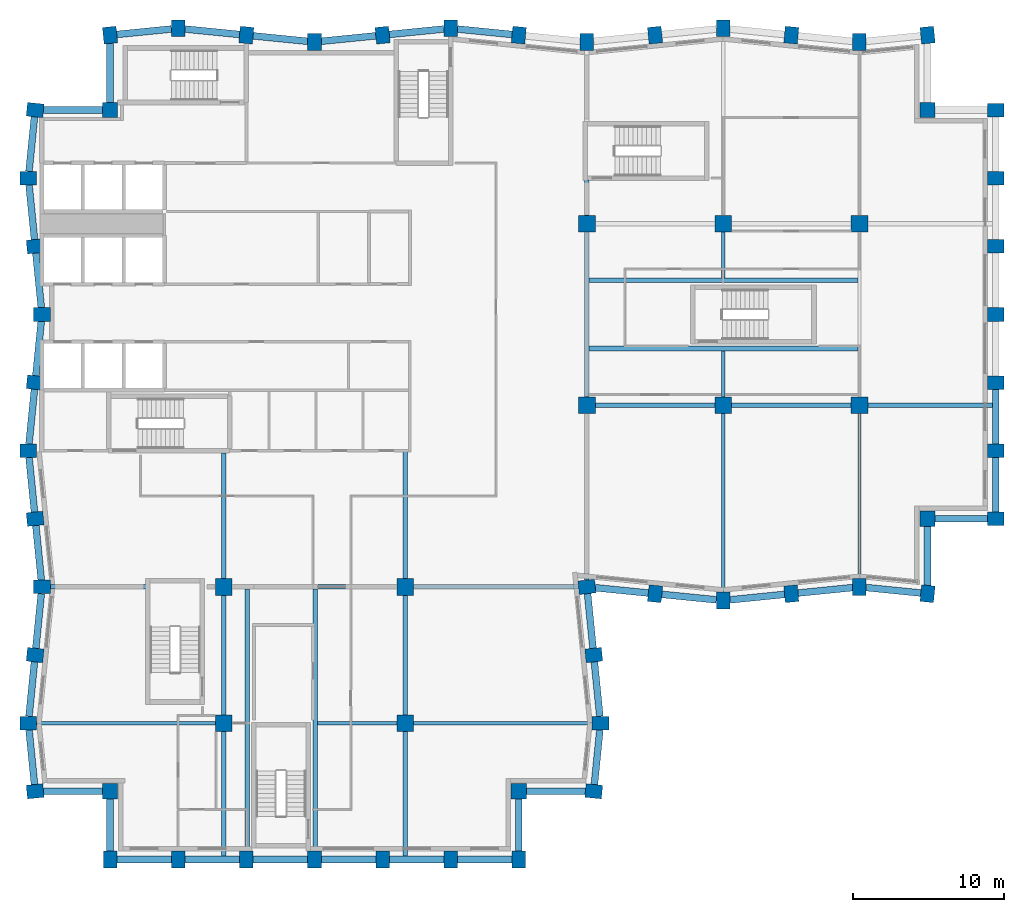
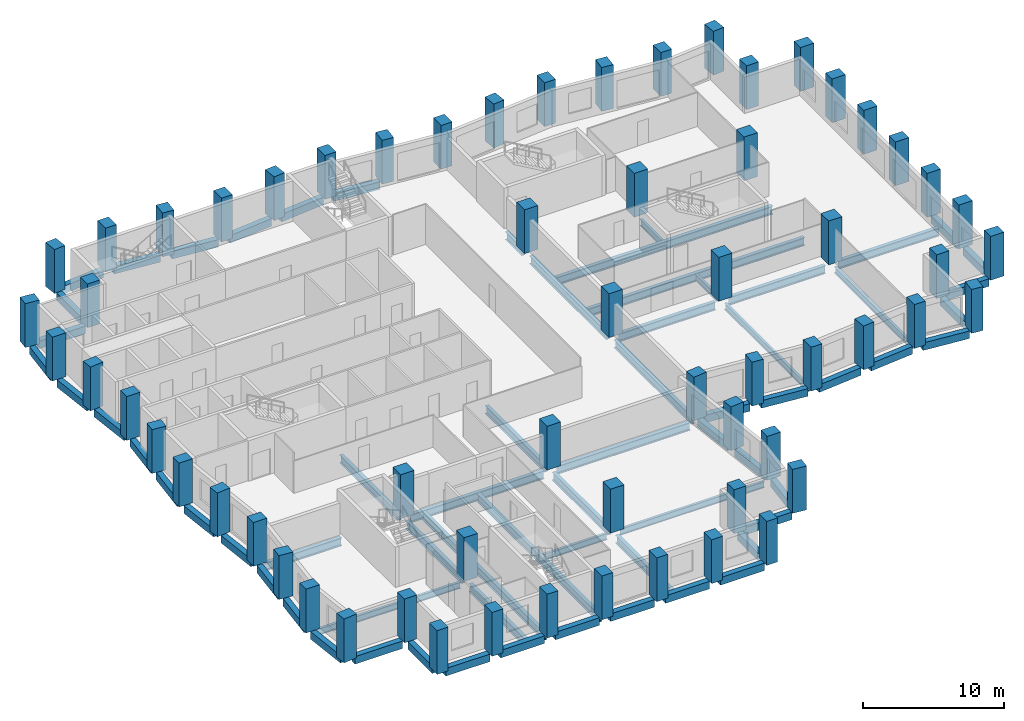
# One storey, part 1 of 10: 66 beams, 62 columns.
"""IFC4 building model written with IfcOpenShell, lengths in metres."""

from ifc_helpers import new_model, si_unit, direction, frame, origin, origin_2d, place, context, subcontext, project, spatial, rectangle, i_section, extrude, material, material_profile, profile_set, type_object, element, save


model = new_model("IFC4")

# Units and contexts
model_context = context("Model", 3, precision=1e-05, world=origin(), true_north=direction((0.0, 1.0)))
body_context = subcontext(model_context, "Body", "Model", "MODEL_VIEW")
ifc_project = project(units=[si_unit("LENGTHUNIT", "METRE"), si_unit("AREAUNIT", "SQUARE_METRE"), si_unit("VOLUMEUNIT", "CUBIC_METRE"), si_unit("PLANEANGLEUNIT", "RADIAN"), si_unit("MASSUNIT", "GRAM", prefix="KILO")], contexts=[model_context])

# Site, building, storey
site_placement = place(None, origin())
site = spatial("IfcSite", under=ifc_project, at=site_placement, CompositionType="ELEMENT")
building_placement = place(site_placement, origin())
building = spatial("IfcBuilding", under=site, at=building_placement, Name="Brondeck Convention Tower", CompositionType="ELEMENT")
storey_placement = place(building_placement, frame((0.0, 0.0, 181.39990234375)))
storey = spatial("IfcBuildingStorey", under=building, at=storey_placement, Name="L44", CompositionType="ELEMENT", Elevation=181.39990234375)

# Columns
ifc_material_1 = material(Name="Concrete C70/85", Category="concrete")
ifc_material_profile_1 = material_profile(ifc_material_1, rectangle(XDim=1.0, YDim=1.0, at=origin_2d()), Name="Corner column 1000x1000 Concrete C70/85")
ifc_profile_set_1 = profile_set([ifc_material_profile_1], Name="Concrete C70/85")
column_type_1 = type_object("IfcColumnType", Name="Corner column 1000x1000 Concrete C70/85", PredefinedType="COLUMN", material=ifc_profile_set_1)
for number, where, z_axis, x_axis, name in (
    (1, (4.5, 13.5, 0.0), (0.0, 0.0, 1.0), (1.0, 0.0, 0.0), "STR-COL-L44-NC-SWB9"),
    (2, (31.5, 13.5, 0.0), (0.0, 0.0, 1.0), (1.0, 0.0, 0.0), "STR-COL-L44-NC-SEB9"),
    (3, (58.5, 31.5, 0.0), (0.0, 0.0, 1.0), (1.0, 0.0, 0.0), "STR-COL-L44-NC-SEA63"),
    (4, (58.5, 58.5, 0.0), (0.0, 0.0, 1.0), (1.0, 0.0, 0.0), "STR-COL-L44-NC-NEA63"),
    (5, (4.5, 58.5, 0.0), (0.0, 0.0, 1.0), (1.0, 0.0, 0.0), "STR-COL-L44-NC-NW"),
):
    element("IfcColumn", number, at=place(storey_placement, frame(where, z_axis=z_axis, x_axis=x_axis)), inside=storey, type_object=column_type_1, Name=name, PredefinedType="COLUMN", context=body_context, shape_type="SweptSolid", body=[
        extrude(rectangle(XDim=1.0, YDim=1.0, at=origin_2d()), origin(), (0.0, 0.0, 1.0), 3.800048828125),
    ])
ifc_material_profile_2 = material_profile(ifc_material_1, rectangle(XDim=1.10009765625, YDim=1.10009765625, at=origin_2d()), Name="Interior column 1100x1100 Concrete C70/85")
ifc_profile_set_2 = profile_set([ifc_material_profile_2], Name="Concrete C70/85")
column_type_2 = type_object("IfcColumnType", Name="Interior column 1100x1100 Concrete C70/85", PredefinedType="COLUMN", material=ifc_profile_set_2)
for number, where, z_axis, x_axis, name in (
    (6, (12.0, 18.0, 0.0), (0.0, 0.0, 1.0), (1.0, 0.0, 0.0), "STR-COL-L44-IC-02"),
    (7, (12.0, 27.0, 0.0), (0.0, 0.0, 1.0), (1.0, 0.0, 0.0), "STR-COL-L44-IC-03"),
    (8, (24.0, 18.0, 0.0), (0.0, 0.0, 1.0), (1.0, 0.0, 0.0), "STR-COL-L44-IC-05"),
    (9, (24.0, 27.0, 0.0), (0.0, 0.0, 1.0), (1.0, 0.0, 0.0), "STR-COL-L44-IC-06"),
    (10, (36.0, 39.0, 0.0), (0.0, 0.0, 1.0), (1.0, 0.0, 0.0), "STR-COL-L44-IC-07"),
    (11, (36.0, 51.0, 0.0), (0.0, 0.0, 1.0), (1.0, 0.0, 0.0), "STR-COL-L44-IC-08"),
    (12, (45.0, 39.0, 0.0), (0.0, 0.0, 1.0), (1.0, 0.0, 0.0), "STR-COL-L44-IC-09"),
    (13, (45.0, 51.0, 0.0), (0.0, 0.0, 1.0), (1.0, 0.0, 0.0), "STR-COL-L44-IC-10"),
    (14, (54.0, 39.0, 0.0), (0.0, 0.0, 1.0), (1.0, 0.0, 0.0), "STR-COL-L44-IC-11"),
    (15, (54.0, 51.0, 0.0), (0.0, 0.0, 1.0), (1.0, 0.0, 0.0), "STR-COL-L44-IC-12"),
):
    element("IfcColumn", number, at=place(storey_placement, frame(where, z_axis=z_axis, x_axis=x_axis)), inside=storey, type_object=column_type_2, Name=name, PredefinedType="COLUMN", context=body_context, shape_type="SweptSolid", body=[
        extrude(rectangle(XDim=1.10009765625, YDim=1.10009765625, at=origin_2d()), origin(), (0.0, 0.0, 1.0), 3.800048828125),
    ])
ifc_material_profile_3 = material_profile(ifc_material_1, rectangle(XDim=0.89990234375, YDim=1.10009765625, at=origin_2d()), Name="Perimeter pier 900x1100 Concrete C70/85")
ifc_profile_set_3 = profile_set([ifc_material_profile_3], Name="Concrete C70/85")
column_type_3 = type_object("IfcColumnType", Name="Perimeter pier 900x1100 Concrete C70/85", PredefinedType="COLUMN", material=ifc_profile_set_3)
for number, where, z_axis, x_axis, name in (
    (16, (4.5, 9.0, 0.0), (0.0, 0.0, 1.0), (1.0, 0.0, 0.0), "STR-COL-L44-PC-B-S9-01"),
    (17, (9.0, 9.0, 0.0), (0.0, 0.0, 1.0), (1.0, 0.0, 0.0), "STR-COL-L44-PC-B-S9-02"),
    (18, (13.5, 9.0, 0.0), (0.0, 0.0, 1.0), (1.0, 0.0, 0.0), "STR-COL-L44-PC-B-S9-03"),
    (19, (18.0, 9.0, 0.0), (0.0, 0.0, 1.0), (1.0, 0.0, 0.0), "STR-COL-L44-PC-B-S9-04"),
    (20, (22.5, 9.0, 0.0), (0.0, 0.0, 1.0), (1.0, 0.0, 0.0), "STR-COL-L44-PC-B-S9-05"),
    (21, (27.0, 9.0, 0.0), (0.0, 0.0, 1.0), (1.0, 0.0, 0.0), "STR-COL-L44-PC-B-S9-06"),
    (22, (31.5, 9.0, 0.0), (0.0, 0.0, 1.0), (1.0, 0.0, 0.0), "STR-COL-L44-PC-B-S9-07"),
    (23, (36.449951171875, 13.5, 0.0), (0.0, 0.0, 1.0), (0.0995038382, 0.995037178292, 0.0), "STR-COL-L44-PC-B-E-03"),
    (24, (36.89990234375, 18.0, 0.0), (0.0, 0.0, 1.0), (0.0, 1.0, 0.0), "STR-COL-L44-PC-B-E-02"),
    (25, (36.449951171875, 22.5, 0.0), (0.0, 0.0, 1.0), (-0.0995038382, 0.995037178292, 0.0), "STR-COL-L44-PC-B-E-01"),
    (26, (36.0, 27.0, 0.0), (0.0, 0.0, 1.0), (-0.0995038382, 0.995037178292, 0.0), "STR-COL-L44-PC-B-E-00"),
    (27, (40.5, 26.550048828125, 0.0), (0.0, 0.0, 1.0), (0.995037178292, -0.0995038382, 0.0), "STR-COL-L44-PC-A-S-01"),
    (28, (45.0, 26.10009765625, 0.0), (0.0, 0.0, 1.0), (1.0, 0.0, 0.0), "STR-COL-L44-PC-A-S-02"),
    (29, (49.5, 26.550048828125, 0.0), (0.0, 0.0, 1.0), (0.995037178292, 0.0995038382, 0.0), "STR-COL-L44-PC-A-S-03"),
    (30, (54.0, 27.0, 0.0), (0.0, 0.0, 1.0), (1.0, 0.0, 0.0), "STR-COL-L44-PC-A-S-04"),
    (31, (58.5, 26.550048828125, 0.0), (0.0, 0.0, 1.0), (0.995037178292, -0.0995038382, 0.0), "STR-COL-L44-PC-A-S-05"),
    (32, (63.0, 31.5, 0.0), (0.0, 0.0, 1.0), (0.0, 1.0, 0.0), "STR-COL-L44-PC-A-E63-01"),
    (33, (63.0, 36.0, 0.0), (0.0, 0.0, 1.0), (0.0, 1.0, 0.0), "STR-COL-L44-PC-A-E63-02"),
    (34, (63.0, 40.5, 0.0), (0.0, 0.0, 1.0), (0.0, 1.0, 0.0), "STR-COL-L44-PC-A-E63-03"),
    (35, (63.0, 45.0, 0.0), (0.0, 0.0, 1.0), (0.0, 1.0, 0.0), "STR-COL-L44-PC-A-E63-04"),
    (36, (63.0, 49.5, 0.0), (0.0, 0.0, 1.0), (0.0, 1.0, 0.0), "STR-COL-L44-PC-A-E63-05"),
    (37, (63.0, 54.0, 0.0), (0.0, 0.0, 1.0), (0.0, 1.0, 0.0), "STR-COL-L44-PC-A-E63-06"),
    (38, (63.0, 58.5, 0.0), (0.0, 0.0, 1.0), (0.0, 1.0, 0.0), "STR-COL-L44-PC-A-E63-07"),
    (39, (58.5, 63.449951171875, 0.0), (0.0, 0.0, 1.0), (-0.995037178292, -0.0995038382, 0.0), "STR-COL-L44-PC-A-N-13"),
    (40, (54.0, 63.0, 0.0), (0.0, 0.0, 1.0), (-1.0, 0.0, 0.0), "STR-COL-L44-PC-A-N-12"),
    (41, (49.5, 63.449951171875, 0.0), (0.0, 0.0, 1.0), (-0.995037178292, 0.0995038382, 0.0), "STR-COL-L44-PC-A-N-11"),
    (42, (45.0, 63.89990234375, 0.0), (0.0, 0.0, 1.0), (-1.0, 0.0, 0.0), "STR-COL-L44-PC-A-N-10"),
    (43, (40.5, 63.449951171875, 0.0), (0.0, 0.0, 1.0), (-0.995037178292, -0.0995038382, 0.0), "STR-COL-L44-PC-A-N-09"),
    (44, (36.0, 63.0, 0.0), (0.0, 0.0, 1.0), (-1.0, 0.0, 0.0), "STR-COL-L44-PC-A-N-08"),
    (45, (31.5, 63.449951171875, 0.0), (0.0, 0.0, 1.0), (-0.995037178292, 0.0995038382, 0.0), "STR-COL-L44-PC-A-N-07"),
    (46, (27.0, 63.89990234375, 0.0), (0.0, 0.0, 1.0), (-1.0, 0.0, 0.0), "STR-COL-L44-PC-A-N-06"),
    (47, (22.5, 63.449951171875, 0.0), (0.0, 0.0, 1.0), (-0.995037178292, -0.0995038382, 0.0), "STR-COL-L44-PC-A-N-05"),
    (48, (18.0, 63.0, 0.0), (0.0, 0.0, 1.0), (-1.0, 0.0, 0.0), "STR-COL-L44-PC-A-N-04"),
    (49, (13.5, 63.449951171875, 0.0), (0.0, 0.0, 1.0), (-0.995037178292, 0.0995038382, 0.0), "STR-COL-L44-PC-A-N-03"),
    (50, (9.0, 63.89990234375, 0.0), (0.0, 0.0, 1.0), (-1.0, 0.0, 0.0), "STR-COL-L44-PC-A-N-02"),
    (51, (4.5, 63.449951171875, 0.0), (0.0, 0.0, 1.0), (-0.995037178292, -0.0995038382, 0.0), "STR-COL-L44-PC-A-N-01"),
    (52, (-0.449951171875, 58.5, 0.0), (0.0, 0.0, 1.0), (-0.0995038382, -0.995037178292, 0.0), "STR-COL-L44-PC-B-W-01"),
    (53, (-0.89990234375, 54.0, 0.0), (0.0, 0.0, 1.0), (0.0, -1.0, 0.0), "STR-COL-L44-PC-B-W-02"),
    (54, (-0.449951171875, 49.5, 0.0), (0.0, 0.0, 1.0), (0.0995038382, -0.995037178292, 0.0), "STR-COL-L44-PC-B-W-03"),
    (55, (0.0, 45.0, 0.0), (0.0, 0.0, 1.0), (0.0, -1.0, 0.0), "STR-COL-L44-PC-B-W-04"),
    (56, (-0.449951171875, 40.5, 0.0), (0.0, 0.0, 1.0), (-0.0995038382, -0.995037178292, 0.0), "STR-COL-L44-PC-B-W-05"),
    (57, (-0.89990234375, 36.0, 0.0), (0.0, 0.0, 1.0), (0.0, -1.0, 0.0), "STR-COL-L44-PC-B-W-06"),
    (58, (-0.449951171875, 31.5, 0.0), (0.0, 0.0, 1.0), (0.0995038382, -0.995037178292, 0.0), "STR-COL-L44-PC-B-W-07"),
    (59, (0.0, 27.0, 0.0), (0.0, 0.0, 1.0), (0.0, -1.0, 0.0), "STR-COL-L44-PC-B-W-08"),
    (60, (-0.449951171875, 22.5, 0.0), (0.0, 0.0, 1.0), (-0.0995038382, -0.995037178292, 0.0), "STR-COL-L44-PC-B-W-09"),
    (61, (-0.89990234375, 18.0, 0.0), (0.0, 0.0, 1.0), (0.0, -1.0, 0.0), "STR-COL-L44-PC-B-W-10"),
    (62, (-0.449951171875, 13.5, 0.0), (0.0, 0.0, 1.0), (0.0995038382, -0.995037178292, 0.0), "STR-COL-L44-PC-B-W-11"),
):
    element("IfcColumn", number, at=place(storey_placement, frame(where, z_axis=z_axis, x_axis=x_axis)), inside=storey, type_object=column_type_3, Name=name, PredefinedType="COLUMN", context=body_context, shape_type="SweptSolid", body=[
        extrude(rectangle(XDim=0.89990234375, YDim=1.10009765625, at=origin_2d()), origin(), (0.0, 0.0, 1.0), 3.800048828125),
    ])

# Beams
ifc_material_2 = material(Name="Steel S355", Category="steel")
ifc_material_profile_4 = material_profile(ifc_material_2, i_section(OverallWidth=0.2099609375, OverallDepth=0.550048828125, WebThickness=0.010986328125, FlangeThickness=0.01708984375, FilletRadius=0.02392578125, at=origin_2d()), Name="IPE 550")
ifc_profile_set_4 = profile_set([ifc_material_profile_4], Name="Steel S355")
beam_type_1 = type_object("IfcBeamType", Name="Floor beam IPE 550", PredefinedType="BEAM", material=ifc_profile_set_4)
beam_1_placement = place(storey_placement, frame((45.0, 26.64990234375, -0.574951171875), z_axis=(0.0, 1.0, 0.0), x_axis=(-1.0, 0.0, 0.0)))
element("IfcBeam", 63, at=beam_1_placement, inside=storey, type_object=beam_type_1, Name="STR-FB-L44-001", PredefinedType="BEAM", context=body_context, shape_type="SweptSolid", body=[
    extrude(i_section(OverallWidth=0.2099609375, OverallDepth=0.550048828125, WebThickness=0.010986328125, FlangeThickness=0.01708984375, FilletRadius=0.02392578125, at=origin_2d()), origin(), (0.0, 0.0, 1.0), 11.800048828125),
])
beam_2_placement = place(storey_placement, frame((54.0, 27.550048828125, -0.574951171875), z_axis=(0.0, 1.0, 0.0), x_axis=(-1.0, 0.0, 0.0)))
element("IfcBeam", 64, at=beam_2_placement, inside=storey, type_object=beam_type_1, Name="STR-FB-L44-003", PredefinedType="BEAM", context=body_context, shape_type="SweptSolid", body=[
    extrude(i_section(OverallWidth=0.2099609375, OverallDepth=0.550048828125, WebThickness=0.010986328125, FlangeThickness=0.01708984375, FilletRadius=0.02392578125, at=origin_2d()), origin(), (0.0, 0.0, 1.0), 10.89990234375),
])
for number, where, z_axis, x_axis, name in (
    (65, (-0.35009765625, 18.0, -0.574951171875), (1.0, 0.0, 0.0), (0.0, 1.0, 0.0), "STR-FB-L44-006"),
    (66, (24.550048828125, 18.0, -0.574951171875), (1.0, 0.0, 0.0), (0.0, 1.0, 0.0), "STR-FB-L44-007"),
):
    element("IfcBeam", number, at=place(storey_placement, frame(where, z_axis=z_axis, x_axis=x_axis)), inside=storey, type_object=beam_type_1, Name=name, PredefinedType="BEAM", context=body_context, shape_type="SweptSolid", body=[
        extrude(i_section(OverallWidth=0.2099609375, OverallDepth=0.550048828125, WebThickness=0.010986328125, FlangeThickness=0.01708984375, FilletRadius=0.02392578125, at=origin_2d()), origin(), (0.0, 0.0, 1.0), 11.800048828125),
    ])
for number, where, z_axis, x_axis, name in (
    (67, (45.0, 39.550048828125, -0.574951171875), (0.0, 1.0, 0.0), (-1.0, 0.0, 0.0), "STR-FB-L44-008"),
    (68, (45.0, 47.39990234375, -0.574951171875), (0.0, 1.0, 0.0), (-1.0, 0.0, 0.0), "STR-FB-L44-009"),
):
    element("IfcBeam", number, at=place(storey_placement, frame(where, z_axis=z_axis, x_axis=x_axis)), inside=storey, type_object=beam_type_1, Name=name, PredefinedType="BEAM", context=body_context, shape_type="SweptSolid", body=[
        extrude(i_section(OverallWidth=0.2099609375, OverallDepth=0.550048828125, WebThickness=0.010986328125, FlangeThickness=0.01708984375, FilletRadius=0.02392578125, at=origin_2d()), origin(), (0.0, 0.0, 1.0), 3.050048828125),
    ])
beam_3_placement = place(storey_placement, frame((18.199951171875, 18.0, -0.574951171875), z_axis=(1.0, 0.0, 0.0), x_axis=(0.0, 1.0, 0.0)))
element("IfcBeam", 69, at=beam_3_placement, inside=storey, type_object=beam_type_1, Name="STR-FB-L44-010", PredefinedType="BEAM", context=body_context, shape_type="SweptSolid", body=[
    extrude(i_section(OverallWidth=0.2099609375, OverallDepth=0.550048828125, WebThickness=0.010986328125, FlangeThickness=0.01708984375, FilletRadius=0.02392578125, at=origin_2d()), origin(), (0.0, 0.0, 1.0), 5.25),
])
ifc_material_profile_5 = material_profile(ifc_material_2, i_section(OverallWidth=0.300048828125, OverallDepth=0.699951171875, WebThickness=0.01708984375, FlangeThickness=0.031982421875, FilletRadius=0.027099609375, at=origin_2d()), Name="HEB 700")
ifc_profile_set_5 = profile_set([ifc_material_profile_5], Name="Steel S355")
beam_type_2 = type_object("IfcBeamType", Name="Girder HEB 700", PredefinedType="BEAM", material=ifc_profile_set_5)
for number, where, z_axis, x_axis, name in (
    (70, (36.550048828125, 39.0, -0.64990234375), (1.0, 0.0, 0.0), (0.0, 1.0, 0.0), "STR-GR-L44-001"),
    (71, (45.550048828125, 39.0, -0.64990234375), (1.0, 0.0, 0.0), (0.0, 1.0, 0.0), "STR-GR-L44-002"),
):
    element("IfcBeam", number, at=place(storey_placement, frame(where, z_axis=z_axis, x_axis=x_axis)), inside=storey, type_object=beam_type_2, Name=name, PredefinedType="BEAM", context=body_context, shape_type="SweptSolid", body=[
        extrude(i_section(OverallWidth=0.300048828125, OverallDepth=0.699951171875, WebThickness=0.01708984375, FlangeThickness=0.031982421875, FilletRadius=0.027099609375, at=origin_2d()), origin(), (0.0, 0.0, 1.0), 7.89990234375),
    ])
beam_4_placement = place(storey_placement, frame((54.550048828125, 39.0, -0.64990234375), z_axis=(1.0, 0.0, 0.0), x_axis=(0.0, 1.0, 0.0)))
element("IfcBeam", 72, at=beam_4_placement, inside=storey, type_object=beam_type_2, Name="STR-GR-L44-003", PredefinedType="BEAM", context=body_context, shape_type="SweptSolid", body=[
    extrude(i_section(OverallWidth=0.300048828125, OverallDepth=0.699951171875, WebThickness=0.01708984375, FlangeThickness=0.031982421875, FilletRadius=0.027099609375, at=origin_2d()), origin(), (0.0, 0.0, 1.0), 8.224853515625),
])
beam_5_placement = place(storey_placement, frame((36.0, 27.4521484375, -0.64990234375), z_axis=(0.0, 1.0, 0.0), x_axis=(-1.0, 0.0, 0.0)))
element("IfcBeam", 73, at=beam_5_placement, inside=storey, type_object=beam_type_2, Name="STR-GR-L44-007", PredefinedType="BEAM", context=body_context, shape_type="SweptSolid", body=[
    extrude(i_section(OverallWidth=0.300048828125, OverallDepth=0.699951171875, WebThickness=0.01708984375, FlangeThickness=0.031982421875, FilletRadius=0.027099609375, at=origin_2d()), origin(), (0.0, 0.0, 1.0), 10.997802734375),
])
beam_6_placement = place(storey_placement, frame((36.0, 39.550048828125, -0.64990234375), z_axis=(0.0, 1.0, 0.0), x_axis=(-1.0, 0.0, 0.0)))
element("IfcBeam", 74, at=beam_6_placement, inside=storey, type_object=beam_type_2, Name="STR-GR-L44-008", PredefinedType="BEAM", context=body_context, shape_type="SweptSolid", body=[
    extrude(i_section(OverallWidth=0.300048828125, OverallDepth=0.699951171875, WebThickness=0.01708984375, FlangeThickness=0.031982421875, FilletRadius=0.027099609375, at=origin_2d()), origin(), (0.0, 0.0, 1.0), 10.89990234375),
])
beam_7_placement = place(storey_placement, frame((36.0, 51.550048828125, -0.64990234375), z_axis=(0.0, 1.0, 0.0), x_axis=(-1.0, 0.0, 0.0)))
element("IfcBeam", 75, at=beam_7_placement, inside=storey, type_object=beam_type_2, Name="STR-GR-L44-009", PredefinedType="BEAM", context=body_context, shape_type="SweptSolid", body=[
    extrude(i_section(OverallWidth=0.300048828125, OverallDepth=0.699951171875, WebThickness=0.01708984375, FlangeThickness=0.031982421875, FilletRadius=0.027099609375, at=origin_2d()), origin(), (0.0, 0.0, 1.0), 2.329833984375),
])
beam_8_placement = place(storey_placement, frame((12.0, 35.85009765625, -0.64990234375), z_axis=(0.0, -1.0, 0.0), x_axis=(1.0, 0.0, 0.0)))
element("IfcBeam", 76, at=beam_8_placement, inside=storey, type_object=beam_type_2, Name="STR-GR-L44-011", PredefinedType="BEAM", context=body_context, shape_type="SweptSolid", body=[
    extrude(i_section(OverallWidth=0.300048828125, OverallDepth=0.699951171875, WebThickness=0.01708984375, FlangeThickness=0.031982421875, FilletRadius=0.027099609375, at=origin_2d()), origin(), (0.0, 0.0, 1.0), 8.300048828125),
])
beam_9_placement = place(storey_placement, frame((12.0, 26.449951171875, -0.64990234375), z_axis=(0.0, -1.0, 0.0), x_axis=(1.0, 0.0, 0.0)))
element("IfcBeam", 77, at=beam_9_placement, inside=storey, type_object=beam_type_2, Name="STR-GR-L44-012", PredefinedType="BEAM", context=body_context, shape_type="SweptSolid", body=[
    extrude(i_section(OverallWidth=0.300048828125, OverallDepth=0.699951171875, WebThickness=0.01708984375, FlangeThickness=0.031982421875, FilletRadius=0.027099609375, at=origin_2d()), origin(), (0.0, 0.0, 1.0), 7.89990234375),
])
beam_10_placement = place(storey_placement, frame((12.0, 17.449951171875, -0.64990234375), z_axis=(0.0, -1.0, 0.0), x_axis=(1.0, 0.0, 0.0)))
element("IfcBeam", 78, at=beam_10_placement, inside=storey, type_object=beam_type_2, Name="STR-GR-L44-013", PredefinedType="BEAM", context=body_context, shape_type="SweptSolid", body=[
    extrude(i_section(OverallWidth=0.300048828125, OverallDepth=0.699951171875, WebThickness=0.01708984375, FlangeThickness=0.031982421875, FilletRadius=0.027099609375, at=origin_2d()), origin(), (0.0, 0.0, 1.0), 8.224853515625),
])
beam_11_placement = place(storey_placement, frame((24.0, 35.955078125, -0.64990234375), z_axis=(0.0, -1.0, 0.0), x_axis=(1.0, 0.0, 0.0)))
element("IfcBeam", 79, at=beam_11_placement, inside=storey, type_object=beam_type_2, Name="STR-GR-L44-014", PredefinedType="BEAM", context=body_context, shape_type="SweptSolid", body=[
    extrude(i_section(OverallWidth=0.300048828125, OverallDepth=0.699951171875, WebThickness=0.01708984375, FlangeThickness=0.031982421875, FilletRadius=0.027099609375, at=origin_2d()), origin(), (0.0, 0.0, 1.0), 8.405029296875),
])
beam_12_placement = place(storey_placement, frame((24.0, 26.449951171875, -0.64990234375), z_axis=(0.0, -1.0, 0.0), x_axis=(1.0, 0.0, 0.0)))
element("IfcBeam", 80, at=beam_12_placement, inside=storey, type_object=beam_type_2, Name="STR-GR-L44-015", PredefinedType="BEAM", context=body_context, shape_type="SweptSolid", body=[
    extrude(i_section(OverallWidth=0.300048828125, OverallDepth=0.699951171875, WebThickness=0.01708984375, FlangeThickness=0.031982421875, FilletRadius=0.027099609375, at=origin_2d()), origin(), (0.0, 0.0, 1.0), 7.89990234375),
])
beam_13_placement = place(storey_placement, frame((24.0, 17.449951171875, -0.64990234375), z_axis=(0.0, -1.0, 0.0), x_axis=(1.0, 0.0, 0.0)))
element("IfcBeam", 81, at=beam_13_placement, inside=storey, type_object=beam_type_2, Name="STR-GR-L44-016", PredefinedType="BEAM", context=body_context, shape_type="SweptSolid", body=[
    extrude(i_section(OverallWidth=0.300048828125, OverallDepth=0.699951171875, WebThickness=0.01708984375, FlangeThickness=0.031982421875, FilletRadius=0.027099609375, at=origin_2d()), origin(), (0.0, 0.0, 1.0), 8.224853515625),
])
beam_14_placement = place(storey_placement, frame((0.550048828125, 27.0, -0.64990234375), z_axis=(1.0, 0.0, 0.0), x_axis=(0.0, 1.0, 0.0)))
element("IfcBeam", 82, at=beam_14_placement, inside=storey, type_object=beam_type_2, Name="STR-GR-L44-017", PredefinedType="BEAM", context=body_context, shape_type="SweptSolid", body=[
    extrude(i_section(OverallWidth=0.300048828125, OverallDepth=0.699951171875, WebThickness=0.01708984375, FlangeThickness=0.031982421875, FilletRadius=0.027099609375, at=origin_2d()), origin(), (0.0, 0.0, 1.0), 6.329833984375),
])
beam_15_placement = place(storey_placement, frame((12.550048828125, 27.0, -0.64990234375), z_axis=(1.0, 0.0, 0.0), x_axis=(0.0, 1.0, 0.0)))
element("IfcBeam", 83, at=beam_15_placement, inside=storey, type_object=beam_type_2, Name="STR-GR-L44-018", PredefinedType="BEAM", context=body_context, shape_type="SweptSolid", body=[
    extrude(i_section(OverallWidth=0.300048828125, OverallDepth=0.699951171875, WebThickness=0.01708984375, FlangeThickness=0.031982421875, FilletRadius=0.027099609375, at=origin_2d()), origin(), (0.0, 0.0, 1.0), 10.89990234375),
])
beam_16_placement = place(storey_placement, frame((24.550048828125, 27.0, -0.64990234375), z_axis=(1.0, 0.0, 0.0), x_axis=(0.0, 1.0, 0.0)))
element("IfcBeam", 84, at=beam_16_placement, inside=storey, type_object=beam_type_2, Name="STR-GR-L44-019", PredefinedType="BEAM", context=body_context, shape_type="SweptSolid", body=[
    extrude(i_section(OverallWidth=0.300048828125, OverallDepth=0.699951171875, WebThickness=0.01708984375, FlangeThickness=0.031982421875, FilletRadius=0.027099609375, at=origin_2d()), origin(), (0.0, 0.0, 1.0), 10.897216796875),
])
for number, where, z_axis, x_axis, name in (
    (85, (36.14990234375, 42.75, -0.64990234375), (1.0, 0.0, 0.0), (0.0, 1.0, 0.0), "STR-GR-L44-020"),
    (86, (36.14990234375, 47.25, -0.64990234375), (1.0, 0.0, 0.0), (0.0, 1.0, 0.0), "STR-GR-L44-021"),
):
    element("IfcBeam", number, at=place(storey_placement, frame(where, z_axis=z_axis, x_axis=x_axis)), inside=storey, type_object=beam_type_2, Name=name, PredefinedType="BEAM", context=body_context, shape_type="SweptSolid", body=[
        extrude(i_section(OverallWidth=0.300048828125, OverallDepth=0.699951171875, WebThickness=0.01708984375, FlangeThickness=0.031982421875, FilletRadius=0.027099609375, at=origin_2d()), origin(), (0.0, 0.0, 1.0), 17.7451171875),
    ])
for number, where, z_axis, x_axis, name in (
    (87, (13.550048828125, 9.550048828125, -0.64990234375), (0.0, 1.0, 0.0), (-1.0, 0.0, 0.0), "STR-GR-L44-022"),
    (88, (18.050048828125, 9.550048828125, -0.64990234375), (0.0, 1.0, 0.0), (-1.0, 0.0, 0.0), "STR-GR-L44-023"),
):
    element("IfcBeam", number, at=place(storey_placement, frame(where, z_axis=z_axis, x_axis=x_axis)), inside=storey, type_object=beam_type_2, Name=name, PredefinedType="BEAM", context=body_context, shape_type="SweptSolid", body=[
        extrude(i_section(OverallWidth=0.300048828125, OverallDepth=0.699951171875, WebThickness=0.01708984375, FlangeThickness=0.031982421875, FilletRadius=0.027099609375, at=origin_2d()), origin(), (0.0, 0.0, 1.0), 17.300048828125),
    ])
ifc_material_profile_6 = material_profile(ifc_material_1, rectangle(XDim=0.449951171875, YDim=0.64990234375, at=origin_2d()), Name="Precast spandrel 450x650 Concrete C70/85")
ifc_profile_set_6 = profile_set([ifc_material_profile_6], Name="Concrete C70/85")
beam_type_3 = type_object("IfcBeamType", Name="Precast spandrel 450x650 Concrete C70/85", PredefinedType="SPANDREL", material=ifc_profile_set_6)
for number, where, z_axis, x_axis, name in (
    (89, (4.949951171875, 9.0, -0.324951171875), (1.0, 0.0, 0.0), (0.0, 1.0, 0.0), "STR-SP-L44-001"),
    (90, (9.449951171875, 9.0, -0.324951171875), (1.0, 0.0, 0.0), (0.0, 1.0, 0.0), "STR-SP-L44-002"),
    (91, (13.949951171875, 9.0, -0.324951171875), (1.0, 0.0, 0.0), (0.0, 1.0, 0.0), "STR-SP-L44-003"),
    (92, (18.449951171875, 9.0, -0.324951171875), (1.0, 0.0, 0.0), (0.0, 1.0, 0.0), "STR-SP-L44-004"),
    (93, (22.949951171875, 9.0, -0.324951171875), (1.0, 0.0, 0.0), (0.0, 1.0, 0.0), "STR-SP-L44-005"),
    (94, (27.449951171875, 9.0, -0.324951171875), (1.0, 0.0, 0.0), (0.0, 1.0, 0.0), "STR-SP-L44-006"),
):
    element("IfcBeam", number, at=place(storey_placement, frame(where, z_axis=z_axis, x_axis=x_axis)), inside=storey, type_object=beam_type_3, Name=name, PredefinedType="SPANDREL", context=body_context, shape_type="SweptSolid", body=[
        extrude(rectangle(XDim=0.449951171875, YDim=0.64990234375, at=origin_2d()), origin(), (0.0, 0.0, 1.0), 3.60009765625),
    ])
beam_17_placement = place(storey_placement, frame((31.5, 9.550048828125, -0.324951171875), z_axis=(0.0, 1.0, 0.0), x_axis=(-1.0, 0.0, 0.0)))
element("IfcBeam", 95, at=beam_17_placement, inside=storey, type_object=beam_type_3, Name="STR-SP-L44-007", PredefinedType="SPANDREL", context=body_context, shape_type="SweptSolid", body=[
    extrude(rectangle(XDim=0.449951171875, YDim=0.64990234375, at=origin_2d()), origin(), (0.0, 0.0, 1.0), 3.449951171875),
])
beam_18_placement = place(storey_placement, frame((32.0, 13.5, -0.324951171875), z_axis=(1.0, 0.0, 0.0), x_axis=(0.0, 1.0, 0.0)))
element("IfcBeam", 96, at=beam_18_placement, inside=storey, type_object=beam_type_3, Name="STR-SP-L44-008", PredefinedType="SPANDREL", context=body_context, shape_type="SweptSolid", body=[
    extrude(rectangle(XDim=0.449951171875, YDim=0.64990234375, at=origin_2d()), origin(), (0.0, 0.0, 1.0), 3.897216796875),
])
for number, where, z_axis, x_axis, name in (
    (97, (36.494873046875, 13.94775390625, -0.324951171875), (0.099470334057, 0.995040528141, 0.0), (-0.995040528141, 0.099470334057, 0.0), "STR-SP-L44-009"),
    (98, (36.85498046875, 18.449951171875, -0.324951171875), (-0.099470334057, 0.995040528141, 0.0), (-0.995040528141, -0.099470334057, 0.0), "STR-SP-L44-010"),
):
    element("IfcBeam", number, at=place(storey_placement, frame(where, z_axis=z_axis, x_axis=x_axis)), inside=storey, type_object=beam_type_3, Name=name, PredefinedType="SPANDREL", context=body_context, shape_type="SweptSolid", body=[
        extrude(rectangle(XDim=0.449951171875, YDim=0.64990234375, at=origin_2d()), origin(), (0.0, 0.0, 1.0), 3.620361328125),
    ])
beam_19_placement = place(storey_placement, frame((36.4052734375, 22.94775390625, -0.324951171875), z_axis=(-0.099543756114, 0.995033185687, 0.0), x_axis=(-0.995033185687, -0.099543756114, 0.0)))
element("IfcBeam", 99, at=beam_19_placement, inside=storey, type_object=beam_type_3, Name="STR-SP-L44-011", PredefinedType="SPANDREL", context=body_context, shape_type="SweptSolid", body=[
    extrude(rectangle(XDim=0.449951171875, YDim=0.64990234375, at=origin_2d()), origin(), (0.0, 0.0, 1.0), 3.62255859375),
])
beam_20_placement = place(storey_placement, frame((36.558349609375, 26.944091796875, -0.324951171875), z_axis=(0.995037878598, -0.099496834901, 0.0), x_axis=(0.099496834901, 0.995037878598, 0.0)))
element("IfcBeam", 100, at=beam_20_placement, inside=storey, type_object=beam_type_3, Name="STR-SP-L44-012", PredefinedType="SPANDREL", context=body_context, shape_type="SweptSolid", body=[
    extrude(rectangle(XDim=0.449951171875, YDim=0.64990234375, at=origin_2d()), origin(), (0.0, 0.0, 1.0), 3.51123046875),
])
for number, where, z_axis, x_axis, name in (
    (101, (40.94775390625, 26.505126953125, -0.324951171875), (0.995040528141, -0.099470334057, 0.0), (0.099470334057, 0.995040528141, 0.0), "STR-SP-L44-013"),
    (102, (45.449951171875, 26.14501953125, -0.324951171875), (0.995040528141, 0.099470334057, 0.0), (-0.099470334057, 0.995040528141, 0.0), "STR-SP-L44-014"),
    (103, (49.94775390625, 26.5947265625, -0.324951171875), (0.995033851182, 0.099537103649, 0.0), (-0.099537103649, 0.995033851182, 0.0), "STR-SP-L44-015"),
    (104, (54.449951171875, 26.955078125, -0.324951171875), (0.995033851182, -0.099537103649, 0.0), (0.099537103649, 0.995033851182, 0.0), "STR-SP-L44-016"),
):
    element("IfcBeam", number, at=place(storey_placement, frame(where, z_axis=z_axis, x_axis=x_axis)), inside=storey, type_object=beam_type_3, Name=name, PredefinedType="SPANDREL", context=body_context, shape_type="SweptSolid", body=[
        extrude(rectangle(XDim=0.449951171875, YDim=0.64990234375, at=origin_2d()), origin(), (0.0, 0.0, 1.0), 3.620361328125),
    ])
beam_21_placement = place(storey_placement, frame((58.5, 27.102783203125, -0.324951171875), z_axis=(0.0, 1.0, 0.0), x_axis=(-1.0, 0.0, 0.0)))
element("IfcBeam", 105, at=beam_21_placement, inside=storey, type_object=beam_type_3, Name="STR-SP-L44-017", PredefinedType="SPANDREL", context=body_context, shape_type="SweptSolid", body=[
    extrude(rectangle(XDim=0.449951171875, YDim=0.64990234375, at=origin_2d()), origin(), (0.0, 0.0, 1.0), 3.897216796875),
])
beam_22_placement = place(storey_placement, frame((59.0, 31.5, -0.324951171875), z_axis=(1.0, 0.0, 0.0), x_axis=(0.0, 1.0, 0.0)))
element("IfcBeam", 106, at=beam_22_placement, inside=storey, type_object=beam_type_3, Name="STR-SP-L44-018", PredefinedType="SPANDREL", context=body_context, shape_type="SweptSolid", body=[
    extrude(rectangle(XDim=0.449951171875, YDim=0.64990234375, at=origin_2d()), origin(), (0.0, 0.0, 1.0), 3.449951171875),
])
for number, where, z_axis, x_axis, name in (
    (107, (63.0, 31.949951171875, -0.324951171875), (0.0, 1.0, 0.0), (-1.0, 0.0, 0.0), "STR-SP-L44-019"),
    (108, (63.0, 36.449951171875, -0.324951171875), (0.0, 1.0, 0.0), (-1.0, 0.0, 0.0), "STR-SP-L44-020"),
):
    element("IfcBeam", number, at=place(storey_placement, frame(where, z_axis=z_axis, x_axis=x_axis)), inside=storey, type_object=beam_type_3, Name=name, PredefinedType="SPANDREL", context=body_context, shape_type="SweptSolid", body=[
        extrude(rectangle(XDim=0.449951171875, YDim=0.64990234375, at=origin_2d()), origin(), (0.0, 0.0, 1.0), 3.60009765625),
    ])
for number, where, z_axis, x_axis, name in (
    (109, (31.05224609375, 63.494873046875, -0.324951171875), (-0.995040528141, 0.099470334057, 0.0), (-0.099470334057, -0.995040528141, 0.0), "STR-SP-L44-033"),
    (110, (26.550048828125, 63.85498046875, -0.324951171875), (-0.995040528141, -0.099470334057, 0.0), (0.099470334057, -0.995040528141, 0.0), "STR-SP-L44-034"),
    (111, (22.05224609375, 63.4052734375, -0.324951171875), (-0.995033851182, -0.099537103649, 0.0), (0.099537103649, -0.995033851182, 0.0), "STR-SP-L44-035"),
    (112, (17.550048828125, 63.044921875, -0.324951171875), (-0.995033851182, 0.099537103649, 0.0), (-0.099537103649, -0.995033851182, 0.0), "STR-SP-L44-036"),
    (113, (13.05224609375, 63.494873046875, -0.324951171875), (-0.995040528141, 0.099470334057, 0.0), (-0.099470334057, -0.995040528141, 0.0), "STR-SP-L44-037"),
    (114, (8.550048828125, 63.85498046875, -0.324951171875), (-0.995040528141, -0.099470334057, 0.0), (0.099470334057, -0.995040528141, 0.0), "STR-SP-L44-038"),
):
    element("IfcBeam", number, at=place(storey_placement, frame(where, z_axis=z_axis, x_axis=x_axis)), inside=storey, type_object=beam_type_3, Name=name, PredefinedType="SPANDREL", context=body_context, shape_type="SweptSolid", body=[
        extrude(rectangle(XDim=0.449951171875, YDim=0.64990234375, at=origin_2d()), origin(), (0.0, 0.0, 1.0), 3.620361328125),
    ])
for number, where, z_axis, x_axis, name in (
    (115, (4.5, 62.897216796875, -0.324951171875), (0.0, -1.0, 0.0), (1.0, 0.0, 0.0), "STR-SP-L44-039"),
    (116, (4.0, 58.5, -0.324951171875), (-1.0, 0.0, 0.0), (0.0, -1.0, 0.0), "STR-SP-L44-040"),
):
    element("IfcBeam", number, at=place(storey_placement, frame(where, z_axis=z_axis, x_axis=x_axis)), inside=storey, type_object=beam_type_3, Name=name, PredefinedType="SPANDREL", context=body_context, shape_type="SweptSolid", body=[
        extrude(rectangle(XDim=0.449951171875, YDim=0.64990234375, at=origin_2d()), origin(), (0.0, 0.0, 1.0), 3.897216796875),
    ])
for number, where, z_axis, x_axis, name in (
    (117, (-0.494873046875, 58.05224609375, -0.324951171875), (-0.099470334057, -0.995040528141, 0.0), (0.995040528141, -0.099470334057, 0.0), "STR-SP-L44-041"),
    (118, (-0.85498046875, 53.550048828125, -0.324951171875), (0.099470334057, -0.995040528141, 0.0), (0.995040528141, 0.099470334057, 0.0), "STR-SP-L44-042"),
    (119, (-0.4052734375, 49.05224609375, -0.324951171875), (0.099537103649, -0.995033851182, 0.0), (0.995033851182, 0.099537103649, 0.0), "STR-SP-L44-043"),
    (120, (-0.044921875, 44.550048828125, -0.324951171875), (-0.099537103649, -0.995033851182, 0.0), (0.995033851182, -0.099537103649, 0.0), "STR-SP-L44-044"),
    (121, (-0.494873046875, 40.05224609375, -0.324951171875), (-0.099470334057, -0.995040528141, 0.0), (0.995040528141, -0.099470334057, 0.0), "STR-SP-L44-045"),
    (122, (-0.85498046875, 35.550048828125, -0.324951171875), (0.099470334057, -0.995040528141, 0.0), (0.995040528141, 0.099470334057, 0.0), "STR-SP-L44-046"),
    (123, (-0.4052734375, 31.05224609375, -0.324951171875), (0.099537103649, -0.995033851182, 0.0), (0.995033851182, 0.099537103649, 0.0), "STR-SP-L44-047"),
    (124, (-0.044921875, 26.550048828125, -0.324951171875), (-0.099537103649, -0.995033851182, 0.0), (0.995033851182, -0.099537103649, 0.0), "STR-SP-L44-048"),
    (125, (-0.494873046875, 22.05224609375, -0.324951171875), (-0.099470334057, -0.995040528141, 0.0), (0.995040528141, -0.099470334057, 0.0), "STR-SP-L44-049"),
    (126, (-0.85498046875, 17.550048828125, -0.324951171875), (0.099470334057, -0.995040528141, 0.0), (0.995040528141, 0.099470334057, 0.0), "STR-SP-L44-050"),
):
    element("IfcBeam", number, at=place(storey_placement, frame(where, z_axis=z_axis, x_axis=x_axis)), inside=storey, type_object=beam_type_3, Name=name, PredefinedType="SPANDREL", context=body_context, shape_type="SweptSolid", body=[
        extrude(rectangle(XDim=0.449951171875, YDim=0.64990234375, at=origin_2d()), origin(), (0.0, 0.0, 1.0), 3.620361328125),
    ])
beam_23_placement = place(storey_placement, frame((0.102783203125, 13.5, -0.324951171875), z_axis=(1.0, 0.0, 0.0), x_axis=(0.0, 1.0, 0.0)))
element("IfcBeam", 127, at=beam_23_placement, inside=storey, type_object=beam_type_3, Name="STR-SP-L44-051", PredefinedType="SPANDREL", context=body_context, shape_type="SweptSolid", body=[
    extrude(rectangle(XDim=0.449951171875, YDim=0.64990234375, at=origin_2d()), origin(), (0.0, 0.0, 1.0), 3.897216796875),
])
beam_24_placement = place(storey_placement, frame((4.5, 13.0, -0.324951171875), z_axis=(0.0, -1.0, 0.0), x_axis=(1.0, 0.0, 0.0)))
element("IfcBeam", 128, at=beam_24_placement, inside=storey, type_object=beam_type_3, Name="STR-SP-L44-052", PredefinedType="SPANDREL", context=body_context, shape_type="SweptSolid", body=[
    extrude(rectangle(XDim=0.449951171875, YDim=0.64990234375, at=origin_2d()), origin(), (0.0, 0.0, 1.0), 3.449951171875),
])

save(model, "model.ifc")
